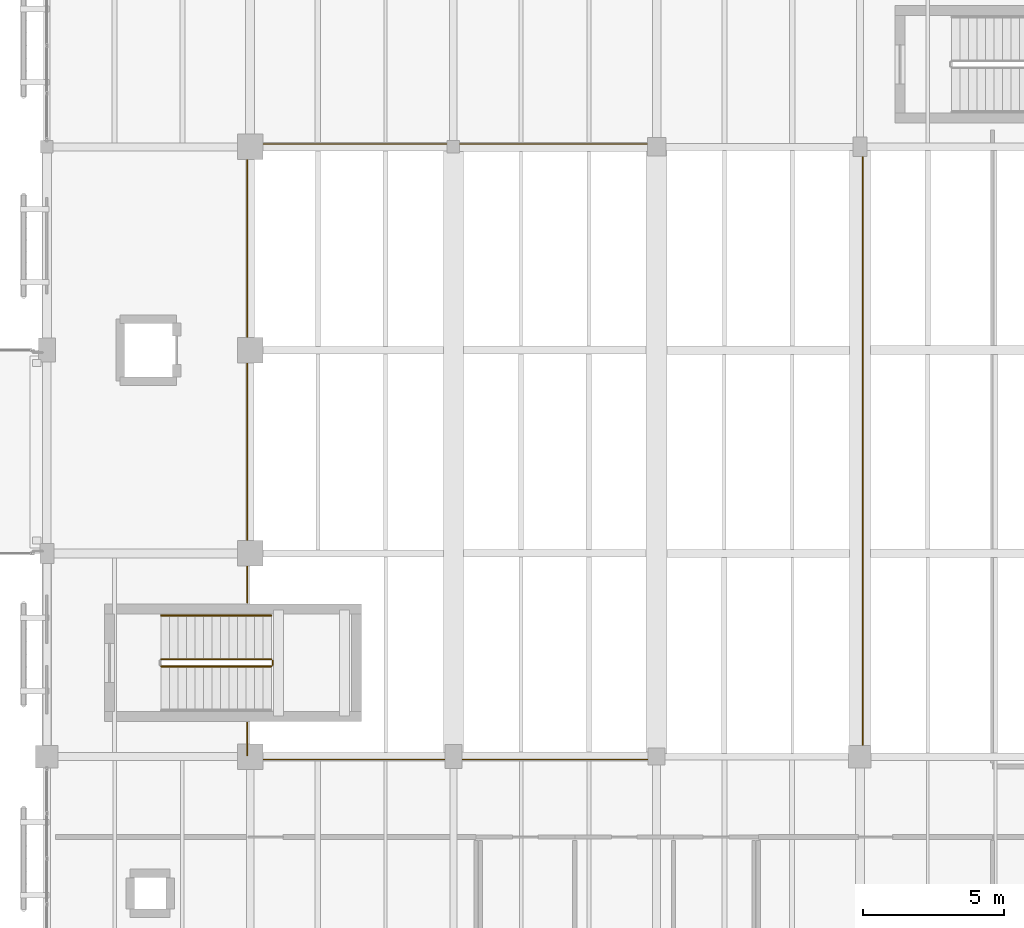
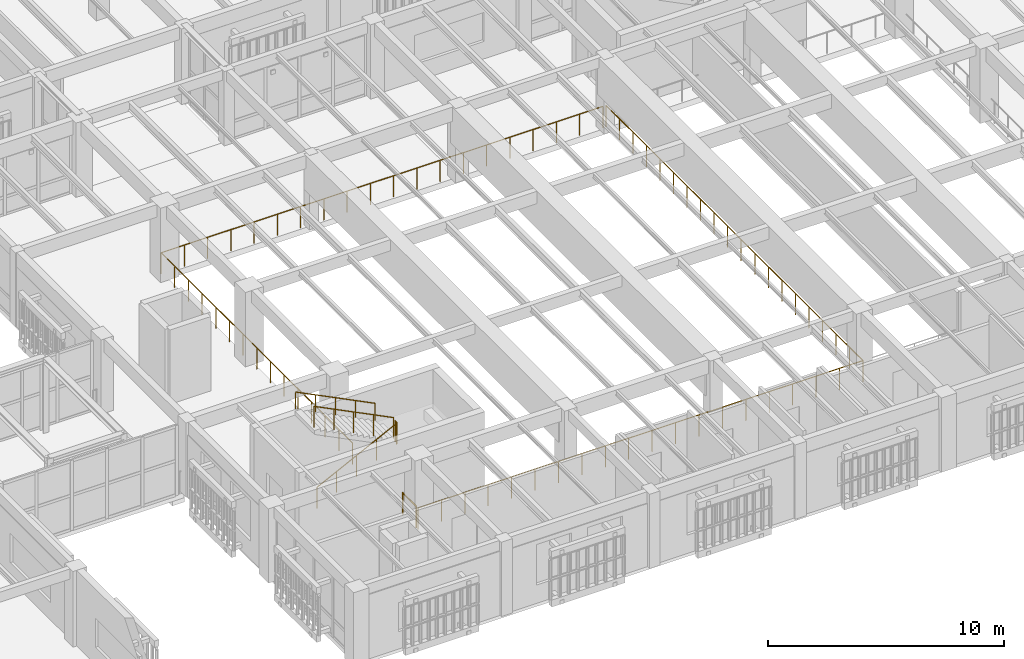
# One storey, part 163 of 170: 7 railings.
"""IFC4 building model written with IfcOpenShell, lengths in metres."""

from ifc_helpers import new_model, si_unit, direction, frame, origin, origin_2d, place, context, subcontext, project, spatial, circle, extrude, material, type_object, element, save


model = new_model("IFC4")

# Units and contexts
model_context = context("Model", 3, precision=1e-05, world=origin(), true_north=direction((0.0, 1.0)))
body_context = subcontext(model_context, "Body", "Model", "MODEL_VIEW")
ifc_project = project(units=[si_unit("LENGTHUNIT", "METRE"), si_unit("AREAUNIT", "SQUARE_METRE"), si_unit("VOLUMEUNIT", "CUBIC_METRE"), si_unit("PLANEANGLEUNIT", "RADIAN"), si_unit("MASSUNIT", "GRAM", prefix="KILO")], contexts=[model_context])

# Site, building, storey
site_placement = place(None, origin())
site = spatial("IfcSite", under=ifc_project, at=site_placement, CompositionType="ELEMENT")
building_placement = place(site_placement, origin())
building = spatial("IfcBuilding", under=site, at=building_placement, Name="Mazaris Harbour Polytechnic", CompositionType="ELEMENT")
storey_placement = place(building_placement, frame((0.0, 0.0, 5.39990234375)))
storey = spatial("IfcBuildingStorey", under=building, at=storey_placement, Name="L01", CompositionType="ELEMENT", Elevation=5.39990234375)

# Railings
ifc_material_1 = material(Name="Steel S355", Category="steel")
railing_type_1 = type_object("IfcRailingType", Name="Mezzanine Steel Guardrail 1100", PredefinedType="GUARDRAIL", material=ifc_material_1)
railing_1_placement = place(storey_placement, frame((129.5, 14.300048828125, 0.0)))
element("IfcRailing", 1, at=railing_1_placement, inside=storey, type_object=railing_type_1, Name="Railing GRD-V2-THA-1", PredefinedType="GUARDRAIL", context=body_context, shape_type="SweptSolid", body=[
    extrude(circle(Radius=0.02392578125, at=origin_2d()), frame((0.0, 0.0, 1.09619140625), z_axis=(1.0, 0.0, 0.0), x_axis=(0.0, 1.0, 0.0)), (0.0, 0.0, 1.0), 21.800048828125),
    extrude(circle(Radius=0.02392578125, at=origin_2d()), frame((21.800048828125, 0.0, 1.09619140625), z_axis=(0.0, 1.0, 0.0), x_axis=(-1.0, 0.0, 0.0)), (0.0, 0.0, 1.0), 21.800048828125),
    extrude(circle(Radius=0.02099609375, at=origin_2d()), origin(), (0.0, 0.0, 1.0), 1.072021484375),
    extrude(circle(Radius=0.02099609375, at=origin_2d()), frame((1.1474609375, 0.0, 0.0)), (0.0, 0.0, 1.0), 1.072021484375),
    extrude(circle(Radius=0.02099609375, at=origin_2d()), frame((2.294677734375, 0.0, 0.0)), (0.0, 0.0, 1.0), 1.072021484375),
    extrude(circle(Radius=0.02099609375, at=origin_2d()), frame((3.442138671875, 0.0, 0.0)), (0.0, 0.0, 1.0), 1.072021484375),
    extrude(circle(Radius=0.02099609375, at=origin_2d()), frame((4.589599609375, 0.0, 0.0)), (0.0, 0.0, 1.0), 1.072021484375),
    extrude(circle(Radius=0.02099609375, at=origin_2d()), frame((5.73681640625, 0.0, 0.0)), (0.0, 0.0, 1.0), 1.072021484375),
    extrude(circle(Radius=0.02099609375, at=origin_2d()), frame((6.88427734375, 0.0, 0.0)), (0.0, 0.0, 1.0), 1.072021484375),
    extrude(circle(Radius=0.02099609375, at=origin_2d()), frame((8.031494140625, 0.0, 0.0)), (0.0, 0.0, 1.0), 1.072021484375),
    extrude(circle(Radius=0.02099609375, at=origin_2d()), frame((9.178955078125, 0.0, 0.0)), (0.0, 0.0, 1.0), 1.072021484375),
    extrude(circle(Radius=0.02099609375, at=origin_2d()), frame((10.326416015625, 0.0, 0.0)), (0.0, 0.0, 1.0), 1.072021484375),
    extrude(circle(Radius=0.02099609375, at=origin_2d()), frame((11.4736328125, 0.0, 0.0)), (0.0, 0.0, 1.0), 1.072021484375),
    extrude(circle(Radius=0.02099609375, at=origin_2d()), frame((12.62109375, 0.0, 0.0)), (0.0, 0.0, 1.0), 1.072021484375),
    extrude(circle(Radius=0.02099609375, at=origin_2d()), frame((13.7685546875, 0.0, 0.0)), (0.0, 0.0, 1.0), 1.072021484375),
    extrude(circle(Radius=0.02099609375, at=origin_2d()), frame((14.915771484375, 0.0, 0.0)), (0.0, 0.0, 1.0), 1.072021484375),
    extrude(circle(Radius=0.02099609375, at=origin_2d()), frame((16.063232421875, 0.0, 0.0)), (0.0, 0.0, 1.0), 1.072021484375),
    extrude(circle(Radius=0.02099609375, at=origin_2d()), frame((17.21044921875, 0.0, 0.0)), (0.0, 0.0, 1.0), 1.072021484375),
    extrude(circle(Radius=0.02099609375, at=origin_2d()), frame((18.35791015625, 0.0, 0.0)), (0.0, 0.0, 1.0), 1.072021484375),
    extrude(circle(Radius=0.02099609375, at=origin_2d()), frame((19.50537109375, 0.0, 0.0)), (0.0, 0.0, 1.0), 1.072021484375),
    extrude(circle(Radius=0.02099609375, at=origin_2d()), frame((20.652587890625, 0.0, 0.0)), (0.0, 0.0, 1.0), 1.072021484375),
    extrude(circle(Radius=0.02099609375, at=origin_2d()), frame((21.800048828125, 0.0, 0.0)), (0.0, 0.0, 1.0), 1.072021484375),
    extrude(circle(Radius=0.02099609375, at=origin_2d()), frame((21.800048828125, 1.1474609375, 0.0)), (0.0, 0.0, 1.0), 1.072021484375),
    extrude(circle(Radius=0.02099609375, at=origin_2d()), frame((21.800048828125, 2.294677734375, 0.0)), (0.0, 0.0, 1.0), 1.072021484375),
    extrude(circle(Radius=0.02099609375, at=origin_2d()), frame((21.800048828125, 3.442138671875, 0.0)), (0.0, 0.0, 1.0), 1.072021484375),
    extrude(circle(Radius=0.02099609375, at=origin_2d()), frame((21.800048828125, 4.589599609375, 0.0)), (0.0, 0.0, 1.0), 1.072021484375),
    extrude(circle(Radius=0.02099609375, at=origin_2d()), frame((21.800048828125, 5.73681640625, 0.0)), (0.0, 0.0, 1.0), 1.072021484375),
    extrude(circle(Radius=0.02099609375, at=origin_2d()), frame((21.800048828125, 6.88427734375, 0.0)), (0.0, 0.0, 1.0), 1.072021484375),
    extrude(circle(Radius=0.02099609375, at=origin_2d()), frame((21.800048828125, 8.031494140625, 0.0)), (0.0, 0.0, 1.0), 1.072021484375),
    extrude(circle(Radius=0.02099609375, at=origin_2d()), frame((21.800048828125, 9.178955078125, 0.0)), (0.0, 0.0, 1.0), 1.072021484375),
    extrude(circle(Radius=0.02099609375, at=origin_2d()), frame((21.800048828125, 10.326416015625, 0.0)), (0.0, 0.0, 1.0), 1.072021484375),
    extrude(circle(Radius=0.02099609375, at=origin_2d()), frame((21.800048828125, 11.4736328125, 0.0)), (0.0, 0.0, 1.0), 1.072021484375),
    extrude(circle(Radius=0.02099609375, at=origin_2d()), frame((21.800048828125, 12.62109375, 0.0)), (0.0, 0.0, 1.0), 1.072021484375),
    extrude(circle(Radius=0.02099609375, at=origin_2d()), frame((21.800048828125, 13.7685546875, 0.0)), (0.0, 0.0, 1.0), 1.072021484375),
    extrude(circle(Radius=0.02099609375, at=origin_2d()), frame((21.800048828125, 14.915771484375, 0.0)), (0.0, 0.0, 1.0), 1.072021484375),
    extrude(circle(Radius=0.02099609375, at=origin_2d()), frame((21.800048828125, 16.063232421875, 0.0)), (0.0, 0.0, 1.0), 1.072021484375),
    extrude(circle(Radius=0.02099609375, at=origin_2d()), frame((21.800048828125, 17.21044921875, 0.0)), (0.0, 0.0, 1.0), 1.072021484375),
    extrude(circle(Radius=0.02099609375, at=origin_2d()), frame((21.800048828125, 18.35791015625, 0.0)), (0.0, 0.0, 1.0), 1.072021484375),
    extrude(circle(Radius=0.02099609375, at=origin_2d()), frame((21.800048828125, 19.50537109375, 0.0)), (0.0, 0.0, 1.0), 1.072021484375),
    extrude(circle(Radius=0.02099609375, at=origin_2d()), frame((21.800048828125, 20.652587890625, 0.0)), (0.0, 0.0, 1.0), 1.072021484375),
    extrude(circle(Radius=0.02099609375, at=origin_2d()), frame((21.800048828125, 21.800048828125, 0.0)), (0.0, 0.0, 1.0), 1.072021484375),
])
railing_2_placement = place(storey_placement, frame((151.14990234375, 36.10009765625, 0.0)))
element("IfcRailing", 2, at=railing_2_placement, inside=storey, type_object=railing_type_1, Name="Railing GRD-V2-THA-2", PredefinedType="GUARDRAIL", context=body_context, shape_type="SweptSolid", body=[
    extrude(circle(Radius=0.02392578125, at=origin_2d()), frame((0.0, 0.0, 1.09619140625), z_axis=(-1.0, 0.0, 0.0), x_axis=(0.0, -1.0, 0.0)), (0.0, 0.0, 1.0), 21.64990234375),
    extrude(circle(Radius=0.02392578125, at=origin_2d()), frame((-21.64990234375, 0.0, 1.09619140625), z_axis=(0.0, -1.0, 0.0), x_axis=(1.0, 0.0, 0.0)), (0.0, 0.0, 1.0), 16.25),
    extrude(circle(Radius=0.02099609375, at=origin_2d()), origin(), (0.0, 0.0, 1.0), 1.072021484375),
    extrude(circle(Radius=0.02099609375, at=origin_2d()), frame((-1.139404296875, 0.0, 0.0)), (0.0, 0.0, 1.0), 1.072021484375),
    extrude(circle(Radius=0.02099609375, at=origin_2d()), frame((-2.279052734375, 0.0, 0.0)), (0.0, 0.0, 1.0), 1.072021484375),
    extrude(circle(Radius=0.02099609375, at=origin_2d()), frame((-3.41845703125, 0.0, 0.0)), (0.0, 0.0, 1.0), 1.072021484375),
    extrude(circle(Radius=0.02099609375, at=origin_2d()), frame((-4.557861328125, 0.0, 0.0)), (0.0, 0.0, 1.0), 1.072021484375),
    extrude(circle(Radius=0.02099609375, at=origin_2d()), frame((-5.697265625, 0.0, 0.0)), (0.0, 0.0, 1.0), 1.072021484375),
    extrude(circle(Radius=0.02099609375, at=origin_2d()), frame((-6.8369140625, 0.0, 0.0)), (0.0, 0.0, 1.0), 1.072021484375),
    extrude(circle(Radius=0.02099609375, at=origin_2d()), frame((-7.976318359375, 0.0, 0.0)), (0.0, 0.0, 1.0), 1.072021484375),
    extrude(circle(Radius=0.02099609375, at=origin_2d()), frame((-9.11572265625, 0.0, 0.0)), (0.0, 0.0, 1.0), 1.072021484375),
    extrude(circle(Radius=0.02099609375, at=origin_2d()), frame((-10.255126953125, 0.0, 0.0)), (0.0, 0.0, 1.0), 1.072021484375),
    extrude(circle(Radius=0.02099609375, at=origin_2d()), frame((-11.394775390625, 0.0, 0.0)), (0.0, 0.0, 1.0), 1.072021484375),
    extrude(circle(Radius=0.02099609375, at=origin_2d()), frame((-12.5341796875, 0.0, 0.0)), (0.0, 0.0, 1.0), 1.072021484375),
    extrude(circle(Radius=0.02099609375, at=origin_2d()), frame((-13.673583984375, 0.0, 0.0)), (0.0, 0.0, 1.0), 1.072021484375),
    extrude(circle(Radius=0.02099609375, at=origin_2d()), frame((-14.81298828125, 0.0, 0.0)), (0.0, 0.0, 1.0), 1.072021484375),
    extrude(circle(Radius=0.02099609375, at=origin_2d()), frame((-15.95263671875, 0.0, 0.0)), (0.0, 0.0, 1.0), 1.072021484375),
    extrude(circle(Radius=0.02099609375, at=origin_2d()), frame((-17.092041015625, 0.0, 0.0)), (0.0, 0.0, 1.0), 1.072021484375),
    extrude(circle(Radius=0.02099609375, at=origin_2d()), frame((-18.2314453125, 0.0, 0.0)), (0.0, 0.0, 1.0), 1.072021484375),
    extrude(circle(Radius=0.02099609375, at=origin_2d()), frame((-19.370849609375, 0.0, 0.0)), (0.0, 0.0, 1.0), 1.072021484375),
    extrude(circle(Radius=0.02099609375, at=origin_2d()), frame((-20.510498046875, 0.0, 0.0)), (0.0, 0.0, 1.0), 1.072021484375),
    extrude(circle(Radius=0.02099609375, at=origin_2d()), frame((-21.64990234375, 0.0, 0.0)), (0.0, 0.0, 1.0), 1.072021484375),
    extrude(circle(Radius=0.02099609375, at=origin_2d()), frame((-21.64990234375, -1.16064453125, 0.0)), (0.0, 0.0, 1.0), 1.072021484375),
    extrude(circle(Radius=0.02099609375, at=origin_2d()), frame((-21.64990234375, -2.321533203125, 0.0)), (0.0, 0.0, 1.0), 1.072021484375),
    extrude(circle(Radius=0.02099609375, at=origin_2d()), frame((-21.64990234375, -3.482177734375, 0.0)), (0.0, 0.0, 1.0), 1.072021484375),
    extrude(circle(Radius=0.02099609375, at=origin_2d()), frame((-21.64990234375, -4.642822265625, 0.0)), (0.0, 0.0, 1.0), 1.072021484375),
    extrude(circle(Radius=0.02099609375, at=origin_2d()), frame((-21.64990234375, -5.803466796875, 0.0)), (0.0, 0.0, 1.0), 1.072021484375),
    extrude(circle(Radius=0.02099609375, at=origin_2d()), frame((-21.64990234375, -6.96435546875, 0.0)), (0.0, 0.0, 1.0), 1.072021484375),
    extrude(circle(Radius=0.02099609375, at=origin_2d()), frame((-21.64990234375, -8.125, 0.0)), (0.0, 0.0, 1.0), 1.072021484375),
    extrude(circle(Radius=0.02099609375, at=origin_2d()), frame((-21.64990234375, -9.28564453125, 0.0)), (0.0, 0.0, 1.0), 1.072021484375),
    extrude(circle(Radius=0.02099609375, at=origin_2d()), frame((-21.64990234375, -10.446533203125, 0.0)), (0.0, 0.0, 1.0), 1.072021484375),
    extrude(circle(Radius=0.02099609375, at=origin_2d()), frame((-21.64990234375, -11.607177734375, 0.0)), (0.0, 0.0, 1.0), 1.072021484375),
    extrude(circle(Radius=0.02099609375, at=origin_2d()), frame((-21.64990234375, -12.767822265625, 0.0)), (0.0, 0.0, 1.0), 1.072021484375),
    extrude(circle(Radius=0.02099609375, at=origin_2d()), frame((-21.64990234375, -13.928466796875, 0.0)), (0.0, 0.0, 1.0), 1.072021484375),
    extrude(circle(Radius=0.02099609375, at=origin_2d()), frame((-21.64990234375, -15.08935546875, 0.0)), (0.0, 0.0, 1.0), 1.072021484375),
    extrude(circle(Radius=0.02099609375, at=origin_2d()), frame((-21.64990234375, -16.25, 0.0)), (0.0, 0.0, 1.0), 1.072021484375),
])
railing_3_placement = place(storey_placement, frame((129.5, 15.60009765625, 0.0)))
element("IfcRailing", 3, at=railing_3_placement, inside=storey, type_object=railing_type_1, Name="Railing GRD-V2-THA-3", PredefinedType="GUARDRAIL", context=body_context, shape_type="SweptSolid", body=[
    extrude(circle(Radius=0.02392578125, at=origin_2d()), frame((0.0, 0.0, 1.09619140625), z_axis=(0.0, -1.0, 0.0), x_axis=(1.0, 0.0, 0.0)), (0.0, 0.0, 1.0), 1.150146484375),
    extrude(circle(Radius=0.02099609375, at=origin_2d()), origin(), (0.0, 0.0, 1.0), 1.072021484375),
    extrude(circle(Radius=0.02099609375, at=origin_2d()), frame((0.0, -1.150146484375, 0.0)), (0.0, 0.0, 1.0), 1.072021484375),
])
ifc_material_2 = material(Name="Stainless Steel S355", Category="steel")
railing_type_2 = type_object("IfcRailingType", Name="Stair Wall Handrail 900", PredefinedType="HANDRAIL", material=ifc_material_2)
railing_4_placement = place(storey_placement, frame((130.35009765625, 19.39990234375, 2.25)))
element("IfcRailing", 4, at=railing_4_placement, inside=storey, type_object=railing_type_2, Name="L01 ST03 stair handrail 2", PredefinedType="HANDRAIL", context=body_context, shape_type="SweptSolid", body=[
    extrude(circle(Radius=0.02392578125, at=origin_2d()), frame((0.0, 0.0, 0.8759765625), z_axis=(-0.894415993023, 0.0, 0.447235990752), x_axis=(0.0, -1.0, 0.0)), (0.0, 0.0, 1.0), 4.360595703125),
    extrude(circle(Radius=0.02099609375, at=origin_2d()), origin(), (0.0, 0.0, 1.0), 0.851806640625),
    extrude(circle(Radius=0.02099609375, at=origin_2d()), frame((-0.97509765625, 0.0, 0.487548828125)), (0.0, 0.0, 1.0), 0.851806640625),
    extrude(circle(Radius=0.02099609375, at=origin_2d()), frame((-1.9501953125, 0.0, 0.97509765625)), (0.0, 0.0, 1.0), 0.851806640625),
    extrude(circle(Radius=0.02099609375, at=origin_2d()), frame((-2.925048828125, 0.0, 1.462646484375)), (0.0, 0.0, 1.0), 0.851806640625),
    extrude(circle(Radius=0.02099609375, at=origin_2d()), frame((-3.900146484375, 0.0, 1.9501953125)), (0.0, 0.0, 1.0), 0.851806640625),
])
ifc_material_3 = material(Name="Steel S355", Category="steel")
railing_type_3 = type_object("IfcRailingType", Name="Stair Well Guardrail 1100", PredefinedType="GUARDRAIL", material=ifc_material_3)
railing_5_placement = place(storey_placement, frame((126.449951171875, 17.60009765625, 0.150146484375)))
element("IfcRailing", 5, at=railing_5_placement, inside=storey, type_object=railing_type_3, Name="L01 ST03 stair guard 1", PredefinedType="GUARDRAIL", context=body_context, shape_type="SweptSolid", body=[
    extrude(circle(Radius=0.02392578125, at=origin_2d()), frame((0.0, 0.0, 1.076171875), z_axis=(0.894438388696, 0.0, 0.447191199406), x_axis=(0.0, 1.0, 0.0)), (0.0, 0.0, 1.0), 4.3603515625),
    extrude(circle(Radius=0.02099609375, at=origin_2d()), origin(), (0.0, 0.0, 1.0), 1.052001953125),
    extrude(circle(Radius=0.02099609375, at=origin_2d()), frame((0.97509765625, 0.0, 0.487548828125)), (0.0, 0.0, 1.0), 1.052001953125),
    extrude(circle(Radius=0.02099609375, at=origin_2d()), frame((1.9501953125, 0.0, 0.97509765625)), (0.0, 0.0, 1.0), 1.052001953125),
    extrude(circle(Radius=0.02099609375, at=origin_2d()), frame((2.925048828125, 0.0, 1.46240234375)), (0.0, 0.0, 1.0), 1.052001953125),
    extrude(circle(Radius=0.02099609375, at=origin_2d()), frame((3.900146484375, 0.0, 1.949951171875)), (0.0, 0.0, 1.0), 1.052001953125),
])
railing_6_placement = place(storey_placement, frame((130.39990234375, 17.64990234375, 2.10009765625)))
element("IfcRailing", 6, at=railing_6_placement, inside=storey, type_object=railing_type_3, Name="L01 ST03 stair guard 2", PredefinedType="GUARDRAIL", context=body_context, shape_type="SweptSolid", body=[
    extrude(circle(Radius=0.02392578125, at=origin_2d()), frame((0.0, 0.0, 1.076171875), z_axis=(0.0, 1.0, 0.0), x_axis=(-1.0, 0.0, 0.0)), (0.0, 0.0, 1.0), 0.150146484375),
    extrude(circle(Radius=0.02099609375, at=origin_2d()), origin(), (0.0, 0.0, 1.0), 1.052001953125),
    extrude(circle(Radius=0.02099609375, at=origin_2d()), frame((0.0, 0.150146484375, 0.0)), (0.0, 0.0, 1.0), 1.052001953125),
])
railing_7_placement = place(storey_placement, frame((130.35009765625, 17.85009765625, 2.25)))
element("IfcRailing", 7, at=railing_7_placement, inside=storey, type_object=railing_type_3, Name="L01 ST03 stair guard 3", PredefinedType="GUARDRAIL", context=body_context, shape_type="SweptSolid", body=[
    extrude(circle(Radius=0.02392578125, at=origin_2d()), frame((0.0, 0.0, 1.076171875), z_axis=(-0.894415993023, 0.0, 0.447235990752), x_axis=(0.0, -1.0, 0.0)), (0.0, 0.0, 1.0), 4.360595703125),
    extrude(circle(Radius=0.02099609375, at=origin_2d()), origin(), (0.0, 0.0, 1.0), 1.052001953125),
    extrude(circle(Radius=0.02099609375, at=origin_2d()), frame((-0.97509765625, 0.0, 0.487548828125)), (0.0, 0.0, 1.0), 1.052001953125),
    extrude(circle(Radius=0.02099609375, at=origin_2d()), frame((-1.9501953125, 0.0, 0.97509765625)), (0.0, 0.0, 1.0), 1.052001953125),
    extrude(circle(Radius=0.02099609375, at=origin_2d()), frame((-2.925048828125, 0.0, 1.462646484375)), (0.0, 0.0, 1.0), 1.052001953125),
    extrude(circle(Radius=0.02099609375, at=origin_2d()), frame((-3.900146484375, 0.0, 1.9501953125)), (0.0, 0.0, 1.0), 1.052001953125),
])

save(model, "model.ifc")
